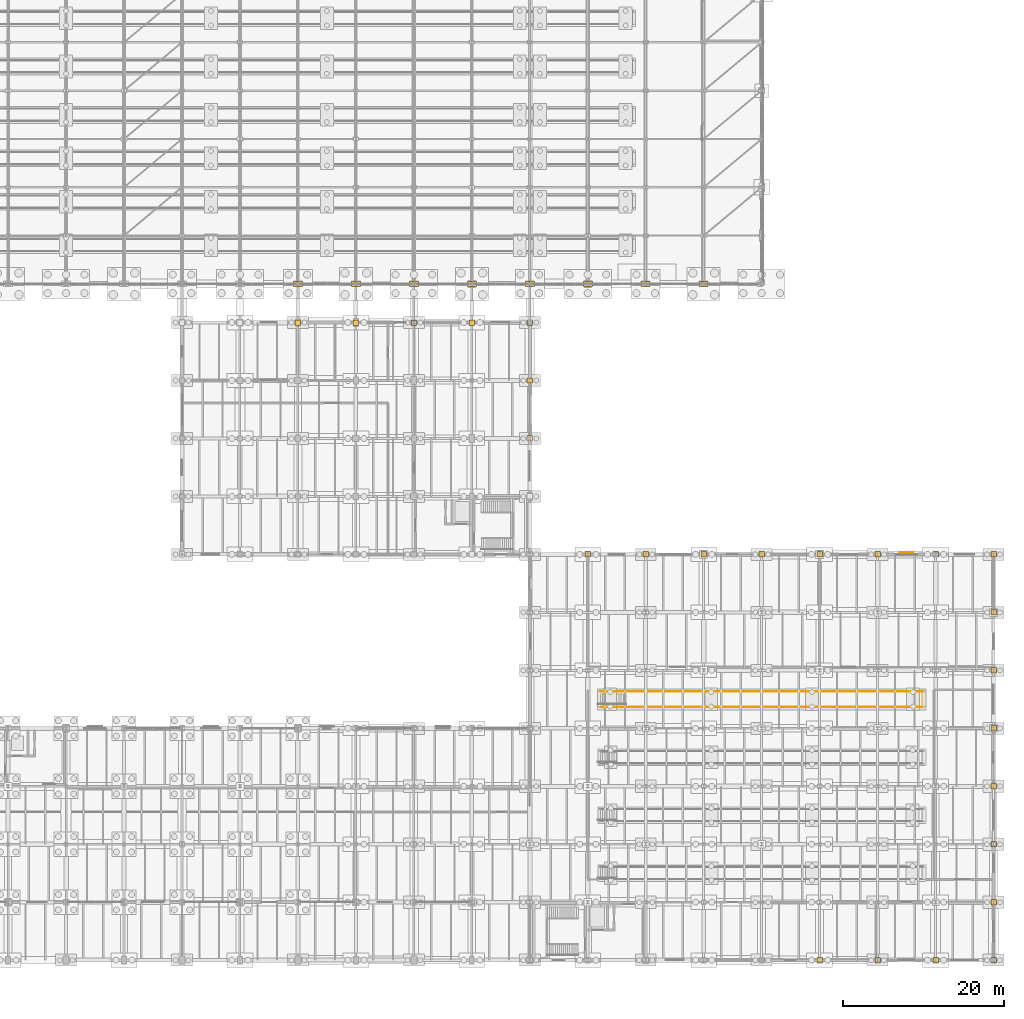
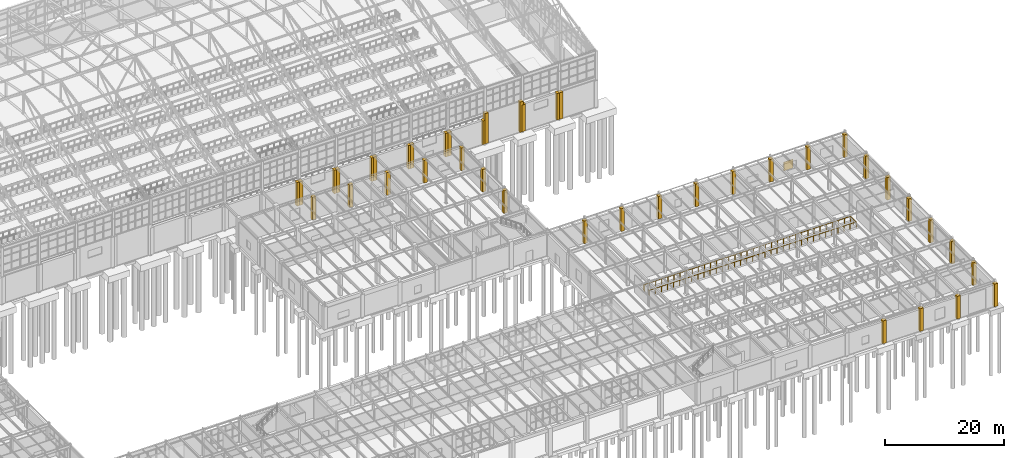
# One storey, part 291 of 293: 41 coverings, 1 railing, 1 shading device.
"""IFC4 building model written with IfcOpenShell, lengths in metres."""

from ifc_helpers import new_model, si_unit, direction, frame, origin, origin_2d, place, context, subcontext, project, spatial, polyline, rectangle, circle, outline, extrude, material, layer, layer_set, type_object, element, save


model = new_model("IFC4")

# Units and contexts
model_context = context("Model", 3, precision=1e-05, world=origin(), true_north=direction((0.0, 1.0)))
body_context = subcontext(model_context, "Body", "Model", "MODEL_VIEW")
ifc_project = project(units=[si_unit("LENGTHUNIT", "METRE"), si_unit("AREAUNIT", "SQUARE_METRE"), si_unit("VOLUMEUNIT", "CUBIC_METRE"), si_unit("PLANEANGLEUNIT", "RADIAN"), si_unit("MASSUNIT", "GRAM", prefix="KILO")], contexts=[model_context])

# Site, building, storey
site_placement = place(None, origin())
site = spatial("IfcSite", under=ifc_project, at=site_placement, CompositionType="ELEMENT")
building_placement = place(site_placement, origin())
building = spatial("IfcBuilding", under=site, at=building_placement, Name="Kemerveld Promenade Tramway Depot", CompositionType="ELEMENT")
storey_placement = place(building_placement, origin())
storey = spatial("IfcBuildingStorey", under=building, at=storey_placement, Name="L00", CompositionType="ELEMENT", Elevation=0.0)

# Coverings
ifc_material_1 = material(Name="Dressed Harare granite ashlar cladding", Category="masonry")
ifc_layer_1 = layer(ifc_material_1, 0.050048828125)
ifc_layer_set_1 = layer_set([ifc_layer_1], Name="COV-CLAD-GRAN")
covering_type = type_object("IfcCoveringType", Name="COV-CLAD-GRAN", PredefinedType="CLADDING", material=ifc_layer_set_1)
covering_1_placement = place(storey_placement, origin())
element("IfcCovering", 1, at=covering_1_placement, inside=storey, type_object=covering_type, Name="CLAD-PIER-L00-039", PredefinedType="CLADDING", context=body_context, shape_type="SweptSolid", body=[
    extrude(outline(polyline([(129.0400390625, 83.659912109375), (129.719970703125, 83.659912109375), (129.719970703125, 84.340087890625), (129.0400390625, 84.340087890625), (129.0400390625, 83.659912109375)])), origin(), (0.0, 0.0, 1.0), 4.843505859375),
])
covering_2_placement = place(storey_placement, origin())
element("IfcCovering", 2, at=covering_2_placement, inside=storey, type_object=covering_type, Name="CLAD-PIER-L00-042", PredefinedType="CLADDING", context=body_context, shape_type="SweptSolid", body=[
    extrude(outline(polyline([(136.239990234375, 83.659912109375), (136.919921875, 83.659912109375), (136.919921875, 84.340087890625), (136.239990234375, 84.340087890625), (136.239990234375, 83.659912109375)])), origin(), (0.0, 0.0, 1.0), 4.843505859375),
])
covering_3_placement = place(storey_placement, origin())
element("IfcCovering", 3, at=covering_3_placement, inside=storey, type_object=covering_type, Name="CLAD-PIER-L00-043", PredefinedType="CLADDING", context=body_context, shape_type="SweptSolid", body=[
    extrude(outline(polyline([(129.47998046875, 83.659912109375), (130.159912109375, 83.659912109375), (130.159912109375, 84.340087890625), (129.47998046875, 84.340087890625), (129.47998046875, 83.659912109375)])), origin(), (0.0, 0.0, 1.0), 4.843505859375),
])
covering_4_placement = place(storey_placement, origin())
element("IfcCovering", 4, at=covering_4_placement, inside=storey, type_object=covering_type, Name="CLAD-PIER-L00-045", PredefinedType="CLADDING", context=body_context, shape_type="SweptSolid", body=[
    extrude(outline(polyline([(143.43994140625, 83.659912109375), (144.1201171875, 83.659912109375), (144.1201171875, 84.340087890625), (143.43994140625, 84.340087890625), (143.43994140625, 83.659912109375)])), origin(), (0.0, 0.0, 1.0), 4.843505859375),
])
covering_5_placement = place(storey_placement, origin())
element("IfcCovering", 5, at=covering_5_placement, inside=storey, type_object=covering_type, Name="CLAD-PIER-L00-046", PredefinedType="CLADDING", context=body_context, shape_type="SweptSolid", body=[
    extrude(outline(polyline([(136.679931640625, 83.659912109375), (137.360107421875, 83.659912109375), (137.360107421875, 84.340087890625), (136.679931640625, 84.340087890625), (136.679931640625, 83.659912109375)])), origin(), (0.0, 0.0, 1.0), 4.843505859375),
])
covering_6_placement = place(storey_placement, origin())
element("IfcCovering", 6, at=covering_6_placement, inside=storey, type_object=covering_type, Name="CLAD-PIER-L00-048", PredefinedType="CLADDING", context=body_context, shape_type="SweptSolid", body=[
    extrude(outline(polyline([(150.639892578125, 83.659912109375), (151.320068359375, 83.659912109375), (151.320068359375, 84.340087890625), (150.639892578125, 84.340087890625), (150.639892578125, 83.659912109375)])), origin(), (0.0, 0.0, 1.0), 4.843505859375),
])
covering_7_placement = place(storey_placement, origin())
element("IfcCovering", 7, at=covering_7_placement, inside=storey, type_object=covering_type, Name="CLAD-PIER-L00-049", PredefinedType="CLADDING", context=body_context, shape_type="SweptSolid", body=[
    extrude(outline(polyline([(143.8798828125, 83.659912109375), (144.56005859375, 83.659912109375), (144.56005859375, 84.340087890625), (143.8798828125, 84.340087890625), (143.8798828125, 83.659912109375)])), origin(), (0.0, 0.0, 1.0), 4.843505859375),
])
covering_8_placement = place(storey_placement, origin())
element("IfcCovering", 8, at=covering_8_placement, inside=storey, type_object=covering_type, Name="CLAD-PIER-L00-051", PredefinedType="CLADDING", context=body_context, shape_type="SweptSolid", body=[
    extrude(outline(polyline([(157.840087890625, 83.659912109375), (158.52001953125, 83.659912109375), (158.52001953125, 84.340087890625), (157.840087890625, 84.340087890625), (157.840087890625, 83.659912109375)])), origin(), (0.0, 0.0, 1.0), 4.843505859375),
])
covering_9_placement = place(storey_placement, origin())
element("IfcCovering", 9, at=covering_9_placement, inside=storey, type_object=covering_type, Name="CLAD-PIER-L00-052", PredefinedType="CLADDING", context=body_context, shape_type="SweptSolid", body=[
    extrude(outline(polyline([(151.080078125, 83.659912109375), (151.760009765625, 83.659912109375), (151.760009765625, 84.340087890625), (151.080078125, 84.340087890625), (151.080078125, 83.659912109375)])), origin(), (0.0, 0.0, 1.0), 4.843505859375),
])
covering_10_placement = place(storey_placement, origin())
element("IfcCovering", 10, at=covering_10_placement, inside=storey, type_object=covering_type, Name="CLAD-PIER-L00-054", PredefinedType="CLADDING", context=body_context, shape_type="SweptSolid", body=[
    extrude(outline(polyline([(165.0400390625, 83.659912109375), (165.719970703125, 83.659912109375), (165.719970703125, 84.340087890625), (165.0400390625, 84.340087890625), (165.0400390625, 83.659912109375)])), origin(), (0.0, 0.0, 1.0), 4.843505859375),
])
covering_11_placement = place(storey_placement, origin())
element("IfcCovering", 11, at=covering_11_placement, inside=storey, type_object=covering_type, Name="CLAD-PIER-L00-055", PredefinedType="CLADDING", context=body_context, shape_type="SweptSolid", body=[
    extrude(outline(polyline([(158.280029296875, 83.659912109375), (158.9599609375, 83.659912109375), (158.9599609375, 84.340087890625), (158.280029296875, 84.340087890625), (158.280029296875, 83.659912109375)])), origin(), (0.0, 0.0, 1.0), 4.843505859375),
])
covering_12_placement = place(storey_placement, origin())
element("IfcCovering", 12, at=covering_12_placement, inside=storey, type_object=covering_type, Name="CLAD-PIER-L00-057", PredefinedType="CLADDING", context=body_context, shape_type="SweptSolid", body=[
    extrude(outline(polyline([(172.239990234375, 83.659912109375), (172.919921875, 83.659912109375), (172.919921875, 84.340087890625), (172.239990234375, 84.340087890625), (172.239990234375, 83.659912109375)])), origin(), (0.0, 0.0, 1.0), 6.199951171875),
])
covering_13_placement = place(storey_placement, origin())
element("IfcCovering", 13, at=covering_13_placement, inside=storey, type_object=covering_type, Name="CLAD-PIER-L00-058", PredefinedType="CLADDING", context=body_context, shape_type="SweptSolid", body=[
    extrude(outline(polyline([(165.47998046875, 83.659912109375), (166.159912109375, 83.659912109375), (166.159912109375, 84.340087890625), (165.47998046875, 84.340087890625), (165.47998046875, 83.659912109375)])), origin(), (0.0, 0.0, 1.0), 6.199951171875),
])
covering_14_placement = place(storey_placement, origin())
element("IfcCovering", 14, at=covering_14_placement, inside=storey, type_object=covering_type, Name="CLAD-PIER-L00-060", PredefinedType="CLADDING", context=body_context, shape_type="SweptSolid", body=[
    extrude(outline(polyline([(179.43994140625, 83.659912109375), (180.1201171875, 83.659912109375), (180.1201171875, 84.340087890625), (179.43994140625, 84.340087890625), (179.43994140625, 83.659912109375)])), origin(), (0.0, 0.0, 1.0), 5.443359375),
])
covering_15_placement = place(storey_placement, origin())
element("IfcCovering", 15, at=covering_15_placement, inside=storey, type_object=covering_type, Name="CLAD-PIER-L00-061", PredefinedType="CLADDING", context=body_context, shape_type="SweptSolid", body=[
    extrude(outline(polyline([(172.679931640625, 83.659912109375), (173.360107421875, 83.659912109375), (173.360107421875, 84.340087890625), (172.679931640625, 84.340087890625), (172.679931640625, 83.659912109375)])), origin(), (0.0, 0.0, 1.0), 5.443359375),
])
covering_16_placement = place(storey_placement, origin())
element("IfcCovering", 16, at=covering_16_placement, inside=storey, type_object=covering_type, Name="CLAD-PIER-L00-064", PredefinedType="CLADDING", context=body_context, shape_type="SweptSolid", body=[
    extrude(outline(polyline([(179.8798828125, 83.659912109375), (180.56005859375, 83.659912109375), (180.56005859375, 84.340087890625), (179.8798828125, 84.340087890625), (179.8798828125, 83.659912109375)])), origin(), (0.0, 0.0, 1.0), 5.443359375),
])
covering_17_placement = place(storey_placement, origin())
element("IfcCovering", 17, at=covering_17_placement, inside=storey, type_object=covering_type, Name="CLAD-PIER-L00-149", PredefinedType="CLADDING", context=body_context, shape_type="SweptSolid", body=[
    extrude(outline(polyline([(129.260009765625, 78.860107421875), (129.93994140625, 78.860107421875), (129.93994140625, 79.5400390625), (129.260009765625, 79.5400390625), (129.260009765625, 78.860107421875)])), origin(), (0.0, 0.0, 1.0), 4.64990234375),
])
covering_18_placement = place(storey_placement, origin())
element("IfcCovering", 18, at=covering_18_placement, inside=storey, type_object=covering_type, Name="CLAD-PIER-L00-150", PredefinedType="CLADDING", context=body_context, shape_type="SweptSolid", body=[
    extrude(outline(polyline([(136.4599609375, 78.860107421875), (137.139892578125, 78.860107421875), (137.139892578125, 79.5400390625), (136.4599609375, 79.5400390625), (136.4599609375, 78.860107421875)])), origin(), (0.0, 0.0, 1.0), 4.64990234375),
])
covering_19_placement = place(storey_placement, origin())
element("IfcCovering", 19, at=covering_19_placement, inside=storey, type_object=covering_type, Name="CLAD-PIER-L00-151", PredefinedType="CLADDING", context=body_context, shape_type="SweptSolid", body=[
    extrude(outline(polyline([(143.659912109375, 78.860107421875), (144.340087890625, 78.860107421875), (144.340087890625, 79.5400390625), (143.659912109375, 79.5400390625), (143.659912109375, 78.860107421875)])), origin(), (0.0, 0.0, 1.0), 4.64990234375),
])
covering_20_placement = place(storey_placement, origin())
element("IfcCovering", 20, at=covering_20_placement, inside=storey, type_object=covering_type, Name="CLAD-PIER-L00-152", PredefinedType="CLADDING", context=body_context, shape_type="SweptSolid", body=[
    extrude(outline(polyline([(150.860107421875, 78.860107421875), (151.5400390625, 78.860107421875), (151.5400390625, 79.5400390625), (150.860107421875, 79.5400390625), (150.860107421875, 78.860107421875)])), origin(), (0.0, 0.0, 1.0), 4.64990234375),
])
covering_21_placement = place(storey_placement, origin())
element("IfcCovering", 21, at=covering_21_placement, inside=storey, type_object=covering_type, Name="CLAD-PIER-L00-153", PredefinedType="CLADDING", context=body_context, shape_type="SweptSolid", body=[
    extrude(outline(polyline([(158.06005859375, 78.860107421875), (158.739990234375, 78.860107421875), (158.739990234375, 79.5400390625), (158.06005859375, 79.5400390625), (158.06005859375, 78.860107421875)])), origin(), (0.0, 0.0, 1.0), 4.64990234375),
])
covering_22_placement = place(storey_placement, origin())
element("IfcCovering", 22, at=covering_22_placement, inside=storey, type_object=covering_type, Name="CLAD-PIER-L00-154", PredefinedType="CLADDING", context=body_context, shape_type="SweptSolid", body=[
    extrude(outline(polyline([(158.06005859375, 71.659912109375), (158.739990234375, 71.659912109375), (158.739990234375, 72.340087890625), (158.06005859375, 72.340087890625), (158.06005859375, 71.659912109375)])), origin(), (0.0, 0.0, 1.0), 4.64990234375),
])
covering_23_placement = place(storey_placement, origin())
element("IfcCovering", 23, at=covering_23_placement, inside=storey, type_object=covering_type, Name="CLAD-PIER-L00-155", PredefinedType="CLADDING", context=body_context, shape_type="SweptSolid", body=[
    extrude(outline(polyline([(158.06005859375, 64.4599609375), (158.739990234375, 64.4599609375), (158.739990234375, 65.139892578125), (158.06005859375, 65.139892578125), (158.06005859375, 64.4599609375)])), origin(), (0.0, 0.0, 1.0), 4.64990234375),
])
covering_24_placement = place(storey_placement, origin())
element("IfcCovering", 24, at=covering_24_placement, inside=storey, type_object=covering_type, Name="CLAD-PIER-L00-163", PredefinedType="CLADDING", context=body_context, shape_type="SweptSolid", body=[
    extrude(outline(polyline([(165.260009765625, 50.06005859375), (165.93994140625, 50.06005859375), (165.93994140625, 50.739990234375), (165.260009765625, 50.739990234375), (165.260009765625, 50.06005859375)])), origin(), (0.0, 0.0, 1.0), 4.64990234375),
])
covering_25_placement = place(storey_placement, origin())
element("IfcCovering", 25, at=covering_25_placement, inside=storey, type_object=covering_type, Name="CLAD-PIER-L00-164", PredefinedType="CLADDING", context=body_context, shape_type="SweptSolid", body=[
    extrude(outline(polyline([(172.4599609375, 50.06005859375), (173.139892578125, 50.06005859375), (173.139892578125, 50.739990234375), (172.4599609375, 50.739990234375), (172.4599609375, 50.06005859375)])), origin(), (0.0, 0.0, 1.0), 4.64990234375),
])
covering_26_placement = place(storey_placement, origin())
element("IfcCovering", 26, at=covering_26_placement, inside=storey, type_object=covering_type, Name="CLAD-PIER-L00-165", PredefinedType="CLADDING", context=body_context, shape_type="SweptSolid", body=[
    extrude(outline(polyline([(179.659912109375, 50.06005859375), (180.340087890625, 50.06005859375), (180.340087890625, 50.739990234375), (179.659912109375, 50.739990234375), (179.659912109375, 50.06005859375)])), origin(), (0.0, 0.0, 1.0), 4.64990234375),
])
covering_27_placement = place(storey_placement, origin())
element("IfcCovering", 27, at=covering_27_placement, inside=storey, type_object=covering_type, Name="CLAD-PIER-L00-166", PredefinedType="CLADDING", context=body_context, shape_type="SweptSolid", body=[
    extrude(outline(polyline([(186.860107421875, 50.06005859375), (187.5400390625, 50.06005859375), (187.5400390625, 50.739990234375), (186.860107421875, 50.739990234375), (186.860107421875, 50.06005859375)])), origin(), (0.0, 0.0, 1.0), 4.64990234375),
])
covering_28_placement = place(storey_placement, origin())
element("IfcCovering", 28, at=covering_28_placement, inside=storey, type_object=covering_type, Name="CLAD-PIER-L00-167", PredefinedType="CLADDING", context=body_context, shape_type="SweptSolid", body=[
    extrude(outline(polyline([(194.06005859375, 50.06005859375), (194.739990234375, 50.06005859375), (194.739990234375, 50.739990234375), (194.06005859375, 50.739990234375), (194.06005859375, 50.06005859375)])), origin(), (0.0, 0.0, 1.0), 4.64990234375),
])
covering_29_placement = place(storey_placement, origin())
element("IfcCovering", 29, at=covering_29_placement, inside=storey, type_object=covering_type, Name="CLAD-PIER-L00-168", PredefinedType="CLADDING", context=body_context, shape_type="SweptSolid", body=[
    extrude(outline(polyline([(201.260009765625, 50.06005859375), (201.93994140625, 50.06005859375), (201.93994140625, 50.739990234375), (201.260009765625, 50.739990234375), (201.260009765625, 50.06005859375)])), origin(), (0.0, 0.0, 1.0), 4.64990234375),
])
covering_30_placement = place(storey_placement, origin())
element("IfcCovering", 30, at=covering_30_placement, inside=storey, type_object=covering_type, Name="CLAD-PIER-L00-169", PredefinedType="CLADDING", context=body_context, shape_type="SweptSolid", body=[
    extrude(outline(polyline([(208.4599609375, 50.06005859375), (209.139892578125, 50.06005859375), (209.139892578125, 50.739990234375), (208.4599609375, 50.739990234375), (208.4599609375, 50.06005859375)])), origin(), (0.0, 0.0, 1.0), 4.64990234375),
])
covering_31_placement = place(storey_placement, origin())
element("IfcCovering", 31, at=covering_31_placement, inside=storey, type_object=covering_type, Name="CLAD-PIER-L00-170", PredefinedType="CLADDING", context=body_context, shape_type="SweptSolid", body=[
    extrude(outline(polyline([(215.659912109375, 50.06005859375), (216.340087890625, 50.06005859375), (216.340087890625, 50.739990234375), (215.659912109375, 50.739990234375), (215.659912109375, 50.06005859375)])), origin(), (0.0, 0.0, 1.0), 4.64990234375),
])
covering_32_placement = place(storey_placement, origin())
element("IfcCovering", 32, at=covering_32_placement, inside=storey, type_object=covering_type, Name="CLAD-PIER-L00-171", PredefinedType="CLADDING", context=body_context, shape_type="SweptSolid", body=[
    extrude(outline(polyline([(215.659912109375, 42.860107421875), (216.340087890625, 42.860107421875), (216.340087890625, 43.5400390625), (215.659912109375, 43.5400390625), (215.659912109375, 42.860107421875)])), origin(), (0.0, 0.0, 1.0), 4.64990234375),
])
covering_33_placement = place(storey_placement, origin())
element("IfcCovering", 33, at=covering_33_placement, inside=storey, type_object=covering_type, Name="CLAD-PIER-L00-172", PredefinedType="CLADDING", context=body_context, shape_type="SweptSolid", body=[
    extrude(outline(polyline([(215.659912109375, 35.659912109375), (216.340087890625, 35.659912109375), (216.340087890625, 36.340087890625), (215.659912109375, 36.340087890625), (215.659912109375, 35.659912109375)])), origin(), (0.0, 0.0, 1.0), 4.64990234375),
])
covering_34_placement = place(storey_placement, origin())
element("IfcCovering", 34, at=covering_34_placement, inside=storey, type_object=covering_type, Name="CLAD-PIER-L00-173", PredefinedType="CLADDING", context=body_context, shape_type="SweptSolid", body=[
    extrude(outline(polyline([(215.659912109375, 28.4599609375), (216.340087890625, 28.4599609375), (216.340087890625, 29.139892578125), (215.659912109375, 29.139892578125), (215.659912109375, 28.4599609375)])), origin(), (0.0, 0.0, 1.0), 4.64990234375),
])
covering_35_placement = place(storey_placement, origin())
element("IfcCovering", 35, at=covering_35_placement, inside=storey, type_object=covering_type, Name="CLAD-PIER-L00-174", PredefinedType="CLADDING", context=body_context, shape_type="SweptSolid", body=[
    extrude(outline(polyline([(215.659912109375, 21.260009765625), (216.340087890625, 21.260009765625), (216.340087890625, 21.93994140625), (215.659912109375, 21.93994140625), (215.659912109375, 21.260009765625)])), origin(), (0.0, 0.0, 1.0), 4.64990234375),
])
covering_36_placement = place(storey_placement, origin())
element("IfcCovering", 36, at=covering_36_placement, inside=storey, type_object=covering_type, Name="CLAD-PIER-L00-175", PredefinedType="CLADDING", context=body_context, shape_type="SweptSolid", body=[
    extrude(outline(polyline([(215.659912109375, 14.06005859375), (216.340087890625, 14.06005859375), (216.340087890625, 14.739990234375), (215.659912109375, 14.739990234375), (215.659912109375, 14.06005859375)])), origin(), (0.0, 0.0, 1.0), 4.64990234375),
])
covering_37_placement = place(storey_placement, origin())
element("IfcCovering", 37, at=covering_37_placement, inside=storey, type_object=covering_type, Name="CLAD-PIER-L00-176", PredefinedType="CLADDING", context=body_context, shape_type="SweptSolid", body=[
    extrude(outline(polyline([(215.659912109375, 6.860107421875), (216.340087890625, 6.860107421875), (216.340087890625, 7.5400390625), (215.659912109375, 7.5400390625), (215.659912109375, 6.860107421875)])), origin(), (0.0, 0.0, 1.0), 4.64990234375),
])
covering_38_placement = place(storey_placement, origin())
element("IfcCovering", 38, at=covering_38_placement, inside=storey, type_object=covering_type, Name="CLAD-PIER-L00-177", PredefinedType="CLADDING", context=body_context, shape_type="SweptSolid", body=[
    extrude(outline(polyline([(215.659912109375, -0.340087890625), (216.340087890625, -0.340087890625), (216.340087890625, 0.340087890625), (215.659912109375, 0.340087890625), (215.659912109375, -0.340087890625)])), origin(), (0.0, 0.0, 1.0), 4.64990234375),
])
covering_39_placement = place(storey_placement, origin())
element("IfcCovering", 39, at=covering_39_placement, inside=storey, type_object=covering_type, Name="CLAD-PIER-L00-178", PredefinedType="CLADDING", context=body_context, shape_type="SweptSolid", body=[
    extrude(outline(polyline([(208.4599609375, -0.340087890625), (209.139892578125, -0.340087890625), (209.139892578125, 0.340087890625), (208.4599609375, 0.340087890625), (208.4599609375, -0.340087890625)])), origin(), (0.0, 0.0, 1.0), 4.64990234375),
])
covering_40_placement = place(storey_placement, origin())
element("IfcCovering", 40, at=covering_40_placement, inside=storey, type_object=covering_type, Name="CLAD-PIER-L00-179", PredefinedType="CLADDING", context=body_context, shape_type="SweptSolid", body=[
    extrude(outline(polyline([(201.260009765625, -0.340087890625), (201.93994140625, -0.340087890625), (201.93994140625, 0.340087890625), (201.260009765625, 0.340087890625), (201.260009765625, -0.340087890625)])), origin(), (0.0, 0.0, 1.0), 4.64990234375),
])
covering_41_placement = place(storey_placement, origin())
element("IfcCovering", 41, at=covering_41_placement, inside=storey, type_object=covering_type, Name="CLAD-PIER-L00-180", PredefinedType="CLADDING", context=body_context, shape_type="SweptSolid", body=[
    extrude(outline(polyline([(194.06005859375, -0.340087890625), (194.739990234375, -0.340087890625), (194.739990234375, 0.340087890625), (194.06005859375, 0.340087890625), (194.06005859375, -0.340087890625)])), origin(), (0.0, 0.0, 1.0), 4.64990234375),
])

# Railing
ifc_material_2 = material(Name="Galvanised painted steel balustrade", Category="steel")
railing_type = type_object("IfcRailingType", Name="RL-GRD-1100", PredefinedType="GUARDRAIL", material=ifc_material_2)
railing_placement = place(storey_placement, frame((167.14990234375, 31.77001953125, 0.0)))
element("IfcRailing", 42, at=railing_placement, inside=storey, type_object=railing_type, Name="RL-PIT-PIT-11", PredefinedType="GUARDRAIL", context=body_context, shape_type="SweptSolid", body=[
    extrude(circle(Radius=0.02392578125, at=origin_2d()), frame((0.0, 0.0, 1.09619140625), z_axis=(0.0, -1.0, 0.0), x_axis=(1.0, 0.0, 0.0)), (0.0, 0.0, 1.0), 0.320068359375),
    extrude(circle(Radius=0.02392578125, at=origin_2d()), frame((0.0, -0.320068359375, 1.09619140625), z_axis=(1.0, 0.0, 0.0), x_axis=(0.0, 1.0, 0.0)), (0.0, 0.0, 1.0), 40.10009765625),
    extrude(circle(Radius=0.02392578125, at=origin_2d()), frame((40.10009765625, -0.320068359375, 1.09619140625), z_axis=(0.0, 1.0, 0.0), x_axis=(-1.0, 0.0, 0.0)), (0.0, 0.0, 1.0), 1.900146484375),
    extrude(circle(Radius=0.02392578125, at=origin_2d()), frame((40.10009765625, 1.580078125, 1.09619140625), z_axis=(-1.0, 0.0, 0.0), x_axis=(0.0, -1.0, 0.0)), (0.0, 0.0, 1.0), 40.10009765625),
    extrude(circle(Radius=0.02392578125, at=origin_2d()), frame((0.0, 1.580078125, 1.09619140625), z_axis=(0.0, -1.0, 0.0), x_axis=(1.0, 0.0, 0.0)), (0.0, 0.0, 1.0), 0.320068359375),
    extrude(circle(Radius=0.02099609375, at=origin_2d()), origin(), (0.0, 0.0, 1.0), 1.072021484375),
    extrude(circle(Radius=0.02099609375, at=origin_2d()), frame((0.0, -0.320068359375, 0.0)), (0.0, 0.0, 1.0), 1.072021484375),
    extrude(circle(Radius=0.02099609375, at=origin_2d()), frame((1.179443359375, -0.320068359375, 0.0)), (0.0, 0.0, 1.0), 1.072021484375),
    extrude(circle(Radius=0.02099609375, at=origin_2d()), frame((2.35888671875, -0.320068359375, 0.0)), (0.0, 0.0, 1.0), 1.072021484375),
    extrude(circle(Radius=0.02099609375, at=origin_2d()), frame((3.538330078125, -0.320068359375, 0.0)), (0.0, 0.0, 1.0), 1.072021484375),
    extrude(circle(Radius=0.02099609375, at=origin_2d()), frame((4.7177734375, -0.320068359375, 0.0)), (0.0, 0.0, 1.0), 1.072021484375),
    extrude(circle(Radius=0.02099609375, at=origin_2d()), frame((5.89697265625, -0.320068359375, 0.0)), (0.0, 0.0, 1.0), 1.072021484375),
    extrude(circle(Radius=0.02099609375, at=origin_2d()), frame((7.076416015625, -0.320068359375, 0.0)), (0.0, 0.0, 1.0), 1.072021484375),
    extrude(circle(Radius=0.02099609375, at=origin_2d()), frame((8.255859375, -0.320068359375, 0.0)), (0.0, 0.0, 1.0), 1.072021484375),
    extrude(circle(Radius=0.02099609375, at=origin_2d()), frame((9.435302734375, -0.320068359375, 0.0)), (0.0, 0.0, 1.0), 1.072021484375),
    extrude(circle(Radius=0.02099609375, at=origin_2d()), frame((10.61474609375, -0.320068359375, 0.0)), (0.0, 0.0, 1.0), 1.072021484375),
    extrude(circle(Radius=0.02099609375, at=origin_2d()), frame((11.794189453125, -0.320068359375, 0.0)), (0.0, 0.0, 1.0), 1.072021484375),
    extrude(circle(Radius=0.02099609375, at=origin_2d()), frame((12.9736328125, -0.320068359375, 0.0)), (0.0, 0.0, 1.0), 1.072021484375),
    extrude(circle(Radius=0.02099609375, at=origin_2d()), frame((14.153076171875, -0.320068359375, 0.0)), (0.0, 0.0, 1.0), 1.072021484375),
    extrude(circle(Radius=0.02099609375, at=origin_2d()), frame((15.332275390625, -0.320068359375, 0.0)), (0.0, 0.0, 1.0), 1.072021484375),
    extrude(circle(Radius=0.02099609375, at=origin_2d()), frame((16.51171875, -0.320068359375, 0.0)), (0.0, 0.0, 1.0), 1.072021484375),
    extrude(circle(Radius=0.02099609375, at=origin_2d()), frame((17.691162109375, -0.320068359375, 0.0)), (0.0, 0.0, 1.0), 1.072021484375),
    extrude(circle(Radius=0.02099609375, at=origin_2d()), frame((18.87060546875, -0.320068359375, 0.0)), (0.0, 0.0, 1.0), 1.072021484375),
    extrude(circle(Radius=0.02099609375, at=origin_2d()), frame((20.050048828125, -0.320068359375, 0.0)), (0.0, 0.0, 1.0), 1.072021484375),
    extrude(circle(Radius=0.02099609375, at=origin_2d()), frame((21.2294921875, -0.320068359375, 0.0)), (0.0, 0.0, 1.0), 1.072021484375),
    extrude(circle(Radius=0.02099609375, at=origin_2d()), frame((22.408935546875, -0.320068359375, 0.0)), (0.0, 0.0, 1.0), 1.072021484375),
    extrude(circle(Radius=0.02099609375, at=origin_2d()), frame((23.58837890625, -0.320068359375, 0.0)), (0.0, 0.0, 1.0), 1.072021484375),
    extrude(circle(Radius=0.02099609375, at=origin_2d()), frame((24.767822265625, -0.320068359375, 0.0)), (0.0, 0.0, 1.0), 1.072021484375),
    extrude(circle(Radius=0.02099609375, at=origin_2d()), frame((25.947021484375, -0.320068359375, 0.0)), (0.0, 0.0, 1.0), 1.072021484375),
    extrude(circle(Radius=0.02099609375, at=origin_2d()), frame((27.12646484375, -0.320068359375, 0.0)), (0.0, 0.0, 1.0), 1.072021484375),
    extrude(circle(Radius=0.02099609375, at=origin_2d()), frame((28.305908203125, -0.320068359375, 0.0)), (0.0, 0.0, 1.0), 1.072021484375),
    extrude(circle(Radius=0.02099609375, at=origin_2d()), frame((29.4853515625, -0.320068359375, 0.0)), (0.0, 0.0, 1.0), 1.072021484375),
    extrude(circle(Radius=0.02099609375, at=origin_2d()), frame((30.664794921875, -0.320068359375, 0.0)), (0.0, 0.0, 1.0), 1.072021484375),
    extrude(circle(Radius=0.02099609375, at=origin_2d()), frame((31.84423828125, -0.320068359375, 0.0)), (0.0, 0.0, 1.0), 1.072021484375),
    extrude(circle(Radius=0.02099609375, at=origin_2d()), frame((33.023681640625, -0.320068359375, 0.0)), (0.0, 0.0, 1.0), 1.072021484375),
    extrude(circle(Radius=0.02099609375, at=origin_2d()), frame((34.203125, -0.320068359375, 0.0)), (0.0, 0.0, 1.0), 1.072021484375),
    extrude(circle(Radius=0.02099609375, at=origin_2d()), frame((35.38232421875, -0.320068359375, 0.0)), (0.0, 0.0, 1.0), 1.072021484375),
    extrude(circle(Radius=0.02099609375, at=origin_2d()), frame((36.561767578125, -0.320068359375, 0.0)), (0.0, 0.0, 1.0), 1.072021484375),
    extrude(circle(Radius=0.02099609375, at=origin_2d()), frame((37.7412109375, -0.320068359375, 0.0)), (0.0, 0.0, 1.0), 1.072021484375),
    extrude(circle(Radius=0.02099609375, at=origin_2d()), frame((38.920654296875, -0.320068359375, 0.0)), (0.0, 0.0, 1.0), 1.072021484375),
    extrude(circle(Radius=0.02099609375, at=origin_2d()), frame((40.10009765625, -0.320068359375, 0.0)), (0.0, 0.0, 1.0), 1.072021484375),
    extrude(circle(Radius=0.02099609375, at=origin_2d()), frame((40.10009765625, 0.6298828125, 0.0)), (0.0, 0.0, 1.0), 1.072021484375),
    extrude(circle(Radius=0.02099609375, at=origin_2d()), frame((40.10009765625, 1.580078125, 0.0)), (0.0, 0.0, 1.0), 1.072021484375),
    extrude(circle(Radius=0.02099609375, at=origin_2d()), frame((38.920654296875, 1.580078125, 0.0)), (0.0, 0.0, 1.0), 1.072021484375),
    extrude(circle(Radius=0.02099609375, at=origin_2d()), frame((37.7412109375, 1.580078125, 0.0)), (0.0, 0.0, 1.0), 1.072021484375),
    extrude(circle(Radius=0.02099609375, at=origin_2d()), frame((36.561767578125, 1.580078125, 0.0)), (0.0, 0.0, 1.0), 1.072021484375),
    extrude(circle(Radius=0.02099609375, at=origin_2d()), frame((35.38232421875, 1.580078125, 0.0)), (0.0, 0.0, 1.0), 1.072021484375),
    extrude(circle(Radius=0.02099609375, at=origin_2d()), frame((34.203125, 1.580078125, 0.0)), (0.0, 0.0, 1.0), 1.072021484375),
    extrude(circle(Radius=0.02099609375, at=origin_2d()), frame((33.023681640625, 1.580078125, 0.0)), (0.0, 0.0, 1.0), 1.072021484375),
    extrude(circle(Radius=0.02099609375, at=origin_2d()), frame((31.84423828125, 1.580078125, 0.0)), (0.0, 0.0, 1.0), 1.072021484375),
    extrude(circle(Radius=0.02099609375, at=origin_2d()), frame((30.664794921875, 1.580078125, 0.0)), (0.0, 0.0, 1.0), 1.072021484375),
    extrude(circle(Radius=0.02099609375, at=origin_2d()), frame((29.4853515625, 1.580078125, 0.0)), (0.0, 0.0, 1.0), 1.072021484375),
    extrude(circle(Radius=0.02099609375, at=origin_2d()), frame((28.305908203125, 1.580078125, 0.0)), (0.0, 0.0, 1.0), 1.072021484375),
    extrude(circle(Radius=0.02099609375, at=origin_2d()), frame((27.12646484375, 1.580078125, 0.0)), (0.0, 0.0, 1.0), 1.072021484375),
    extrude(circle(Radius=0.02099609375, at=origin_2d()), frame((25.947021484375, 1.580078125, 0.0)), (0.0, 0.0, 1.0), 1.072021484375),
    extrude(circle(Radius=0.02099609375, at=origin_2d()), frame((24.767822265625, 1.580078125, 0.0)), (0.0, 0.0, 1.0), 1.072021484375),
    extrude(circle(Radius=0.02099609375, at=origin_2d()), frame((23.58837890625, 1.580078125, 0.0)), (0.0, 0.0, 1.0), 1.072021484375),
    extrude(circle(Radius=0.02099609375, at=origin_2d()), frame((22.408935546875, 1.580078125, 0.0)), (0.0, 0.0, 1.0), 1.072021484375),
    extrude(circle(Radius=0.02099609375, at=origin_2d()), frame((21.2294921875, 1.580078125, 0.0)), (0.0, 0.0, 1.0), 1.072021484375),
    extrude(circle(Radius=0.02099609375, at=origin_2d()), frame((20.050048828125, 1.580078125, 0.0)), (0.0, 0.0, 1.0), 1.072021484375),
    extrude(circle(Radius=0.02099609375, at=origin_2d()), frame((18.87060546875, 1.580078125, 0.0)), (0.0, 0.0, 1.0), 1.072021484375),
    extrude(circle(Radius=0.02099609375, at=origin_2d()), frame((17.691162109375, 1.580078125, 0.0)), (0.0, 0.0, 1.0), 1.072021484375),
    extrude(circle(Radius=0.02099609375, at=origin_2d()), frame((16.51171875, 1.580078125, 0.0)), (0.0, 0.0, 1.0), 1.072021484375),
    extrude(circle(Radius=0.02099609375, at=origin_2d()), frame((15.332275390625, 1.580078125, 0.0)), (0.0, 0.0, 1.0), 1.072021484375),
    extrude(circle(Radius=0.02099609375, at=origin_2d()), frame((14.153076171875, 1.580078125, 0.0)), (0.0, 0.0, 1.0), 1.072021484375),
    extrude(circle(Radius=0.02099609375, at=origin_2d()), frame((12.9736328125, 1.580078125, 0.0)), (0.0, 0.0, 1.0), 1.072021484375),
    extrude(circle(Radius=0.02099609375, at=origin_2d()), frame((11.794189453125, 1.580078125, 0.0)), (0.0, 0.0, 1.0), 1.072021484375),
    extrude(circle(Radius=0.02099609375, at=origin_2d()), frame((10.61474609375, 1.580078125, 0.0)), (0.0, 0.0, 1.0), 1.072021484375),
    extrude(circle(Radius=0.02099609375, at=origin_2d()), frame((9.435302734375, 1.580078125, 0.0)), (0.0, 0.0, 1.0), 1.072021484375),
    extrude(circle(Radius=0.02099609375, at=origin_2d()), frame((8.255859375, 1.580078125, 0.0)), (0.0, 0.0, 1.0), 1.072021484375),
    extrude(circle(Radius=0.02099609375, at=origin_2d()), frame((7.076416015625, 1.580078125, 0.0)), (0.0, 0.0, 1.0), 1.072021484375),
    extrude(circle(Radius=0.02099609375, at=origin_2d()), frame((5.89697265625, 1.580078125, 0.0)), (0.0, 0.0, 1.0), 1.072021484375),
    extrude(circle(Radius=0.02099609375, at=origin_2d()), frame((4.7177734375, 1.580078125, 0.0)), (0.0, 0.0, 1.0), 1.072021484375),
    extrude(circle(Radius=0.02099609375, at=origin_2d()), frame((3.538330078125, 1.580078125, 0.0)), (0.0, 0.0, 1.0), 1.072021484375),
    extrude(circle(Radius=0.02099609375, at=origin_2d()), frame((2.35888671875, 1.580078125, 0.0)), (0.0, 0.0, 1.0), 1.072021484375),
    extrude(circle(Radius=0.02099609375, at=origin_2d()), frame((1.179443359375, 1.580078125, 0.0)), (0.0, 0.0, 1.0), 1.072021484375),
    extrude(circle(Radius=0.02099609375, at=origin_2d()), frame((0.0, 1.580078125, 0.0)), (0.0, 0.0, 1.0), 1.072021484375),
    extrude(circle(Radius=0.02099609375, at=origin_2d()), frame((0.0, 1.260009765625, 0.0)), (0.0, 0.0, 1.0), 1.072021484375),
])

# Shading device
ifc_material_3 = material(Name="Perforated bronze-aluminium sun screen", Category="aluminium")
ifc_layer_2 = layer(ifc_material_3, 0.080078125)
ifc_layer_set_2 = layer_set([ifc_layer_2], Name="SHD-SCREEN")
shading_device_type = type_object("IfcShadingDeviceType", Name="SHD-SCREEN", PredefinedType="SHUTTER", material=ifc_layer_set_2)
shading_device_placement = place(storey_placement, frame((205.199951171875, 50.6298828125, 0.9501953125), z_axis=(0.0, 0.0, 1.0), x_axis=(1.0, 0.0, 0.0)))
element("IfcShadingDevice", 43, at=shading_device_placement, inside=storey, type_object=shading_device_type, Name="SHD-L00-019", PredefinedType="SHUTTER", context=body_context, shape_type="SweptSolid", body=[
    extrude(rectangle(XDim=1.800048828125, YDim=0.080078125, at=origin_2d()), origin(), (0.0, 0.0, 1.0), 1.800048828125),
])

save(model, "model.ifc")
